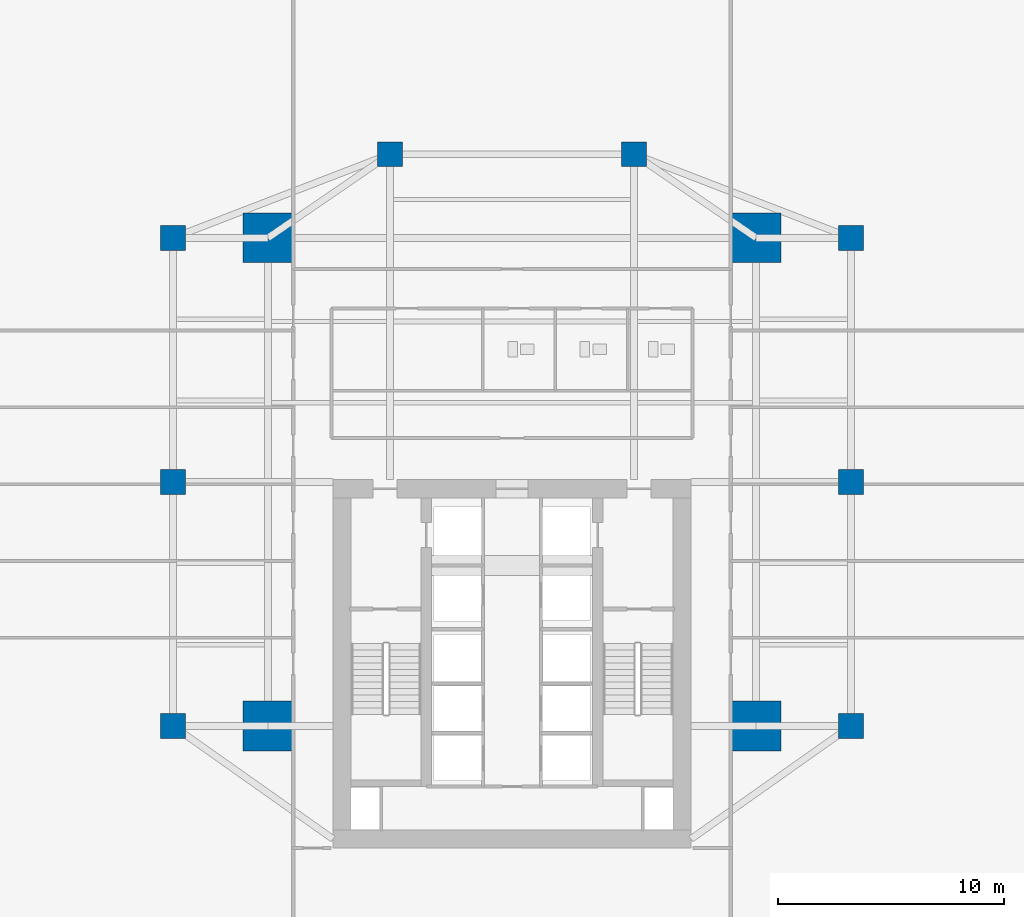
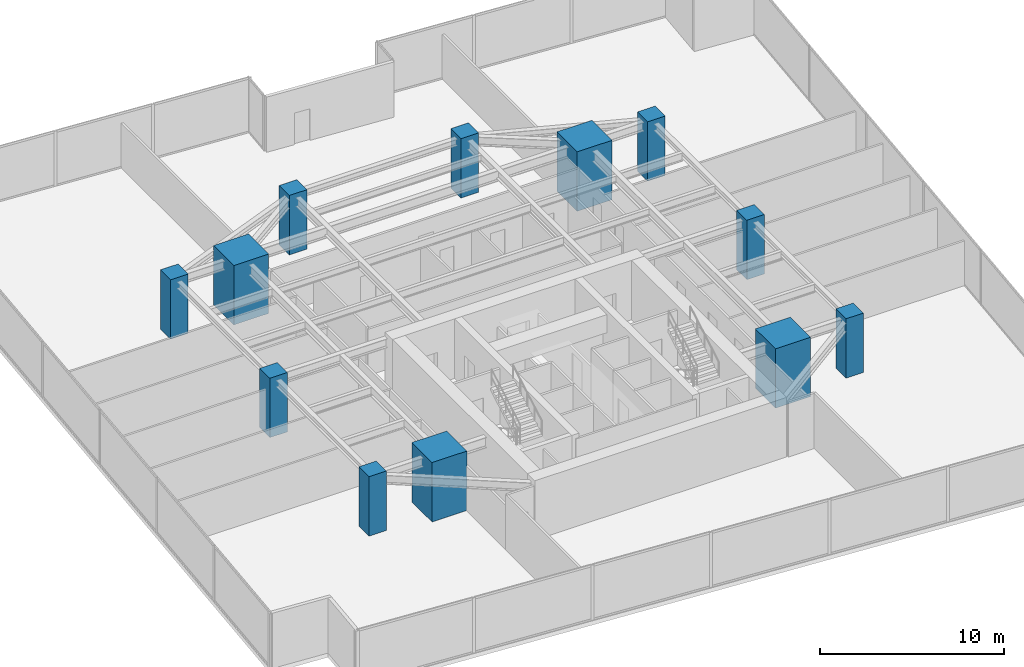
# One storey, part 1 of 30: 12 columns.
"""IFC4 building model written with IfcOpenShell, lengths in metres."""

from ifc_helpers import new_model, si_unit, direction, frame, origin, origin_2d, place, context, subcontext, project, spatial, rectangle, extrude, source, transform, mapped, material, material_profile, profile_set, type_object, type_shapes, element, save


model = new_model("IFC4")

# Units and contexts
model_context = context("Model", 3, precision=1e-05, world=origin(), true_north=direction((0.0, 1.0)))
body_context = subcontext(model_context, "Body", "Model", "MODEL_VIEW")
ifc_project = project(units=[si_unit("LENGTHUNIT", "METRE"), si_unit("AREAUNIT", "SQUARE_METRE"), si_unit("VOLUMEUNIT", "CUBIC_METRE"), si_unit("PLANEANGLEUNIT", "RADIAN"), si_unit("MASSUNIT", "GRAM", prefix="KILO")], contexts=[model_context])

# Site, building, storey
site_placement = place(None, origin())
site = spatial("IfcSite", under=ifc_project, at=site_placement, CompositionType="ELEMENT")
building_placement = place(site_placement, origin())
building = spatial("IfcBuilding", under=site, at=building_placement, Name="Krantzveldt Concourse Tower", CompositionType="ELEMENT")
storey_placement = place(building_placement, frame((0.0, 0.0, 48.699951171875)))
storey = spatial("IfcBuildingStorey", under=building, at=storey_placement, Name="L11", CompositionType="ELEMENT", Elevation=48.699951171875)

# Columns
ifc_material = material(Name="Concrete C60/75", Category="concrete")
ifc_material_profile_1 = material_profile(ifc_material, rectangle(XDim=2.199951171875, YDim=2.199951171875, at=origin_2d()), Name="Concrete C60/75", Category="concrete")
ifc_profile_set_1 = profile_set([ifc_material_profile_1], Name="Concrete C60/75 - RC 2200x2200")
column_type_1 = type_object("IfcColumnType", Name="COL-MC-2200", PredefinedType="USERDEFINED", material=ifc_profile_set_1)
shared_shape_1 = source(origin(), body_context, "Body", "SweptSolid", [
    extrude(rectangle(XDim=2.199951171875, YDim=2.199951171875, at=origin_2d()), origin(), (0.0, 0.0, 1.0), 3.949951171875),
])
type_shapes(column_type_1, [shared_shape_1])
for number, where, z_axis, x_axis, name in (
    (1, (25.199951171875, 15.89990234375, 0.0), (0.0, 0.0, 1.0), (1.0, 0.0, 0.0), "MC-SW-L11"),
    (2, (46.800048828125, 15.89990234375, 0.0), (0.0, 0.0, 1.0), (1.0, 0.0, 0.0), "MC-SE-L11"),
    (3, (46.800048828125, 37.5, 0.0), (0.0, 0.0, 1.0), (1.0, 0.0, 0.0), "MC-NE-L11"),
    (4, (25.199951171875, 37.5, 0.0), (0.0, 0.0, 1.0), (1.0, 0.0, 0.0), "MC-NW-L11"),
):
    element("IfcColumn", number, at=place(storey_placement, frame(where, z_axis=z_axis, x_axis=x_axis)), inside=storey, type_object=column_type_1, Name=name, ObjectType="MEGA COLUMN", PredefinedType="USERDEFINED", context=body_context, shape_type="MappedRepresentation", body=[
        mapped(shared_shape_1, transform((0.0, 0.0, 0.0), x_axis=(1.0, 0.0, 0.0), y_axis=(0.0, 1.0, 0.0), z_axis=(0.0, 0.0, 1.0), scale=1.0)),
    ])
ifc_material_profile_2 = material_profile(ifc_material, rectangle(XDim=1.10009765625, YDim=1.10009765625, at=origin_2d()), Name="Concrete C60/75", Category="concrete")
ifc_profile_set_2 = profile_set([ifc_material_profile_2], Name="Concrete C60/75 - RC 1100x1100")
column_type_2 = type_object("IfcColumnType", Name="COL-C-Z1", PredefinedType="COLUMN", material=ifc_profile_set_2)
shared_shape_2 = source(origin(), body_context, "Body", "SweptSolid", [
    extrude(rectangle(XDim=1.10009765625, YDim=1.10009765625, at=origin_2d()), origin(), (0.0, 0.0, 1.0), 3.949951171875),
])
type_shapes(column_type_2, [shared_shape_2])
for number, where, z_axis, x_axis, name in (
    (5, (21.0, 15.89990234375, 0.0), (0.0, 0.0, 1.0), (1.0, 0.0, 0.0), "PC-R01-L11"),
    (6, (21.0, 26.699951171875, 0.0), (0.0, 0.0, 1.0), (1.0, 0.0, 0.0), "PC-R02-L11"),
    (7, (21.0, 37.5, 0.0), (0.0, 0.0, 1.0), (1.0, 0.0, 0.0), "PC-R03-L11"),
    (8, (30.60009765625, 41.199951171875, 0.0), (0.0, 0.0, 1.0), (1.0, 0.0, 0.0), "PC-R04-L11"),
    (9, (41.39990234375, 41.199951171875, 0.0), (0.0, 0.0, 1.0), (1.0, 0.0, 0.0), "PC-R05-L11"),
    (10, (51.0, 37.5, 0.0), (0.0, 0.0, 1.0), (1.0, 0.0, 0.0), "PC-R06-L11"),
    (11, (51.0, 26.699951171875, 0.0), (0.0, 0.0, 1.0), (1.0, 0.0, 0.0), "PC-R07-L11"),
    (12, (51.0, 15.89990234375, 0.0), (0.0, 0.0, 1.0), (1.0, 0.0, 0.0), "PC-R08-L11"),
):
    element("IfcColumn", number, at=place(storey_placement, frame(where, z_axis=z_axis, x_axis=x_axis)), inside=storey, type_object=column_type_2, Name=name, PredefinedType="COLUMN", context=body_context, shape_type="MappedRepresentation", body=[
        mapped(shared_shape_2, transform((0.0, 0.0, 0.0), x_axis=(1.0, 0.0, 0.0), y_axis=(0.0, 1.0, 0.0), z_axis=(0.0, 0.0, 1.0), scale=1.0)),
    ])

save(model, "model.ifc")
